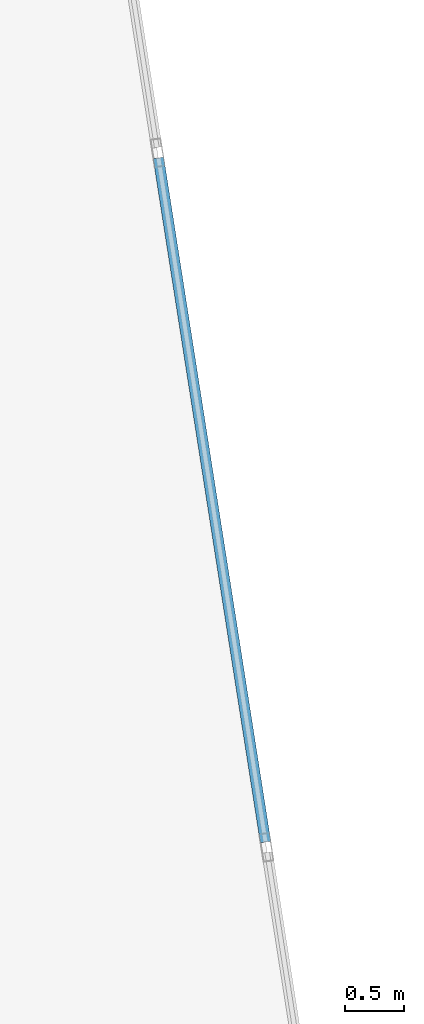
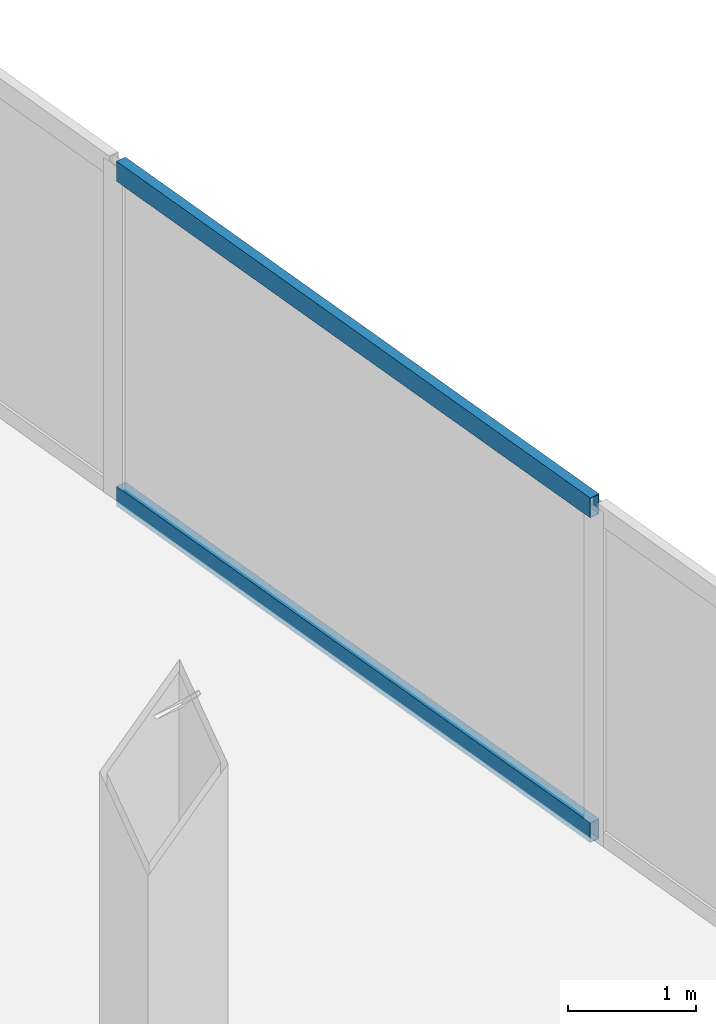
# One storey, part 8 of 17: 2 members, 1 element without a shape of its own.
"""IFC4 building model written with IfcOpenShell, lengths in metres."""

from ifc_helpers import new_model, si_unit, direction, frame, origin, origin_2d, place, context, subcontext, project, spatial, hollow_rectangle, extrude, material, material_profile, profile_set, type_object, element, aggregate, save


model = new_model("IFC4")

# Units and contexts
model_context = context("Model", 3, precision=1e-05, world=origin(), true_north=direction((0.0, 1.0)))
body_context = subcontext(model_context, "Body", "Model", "MODEL_VIEW")
ifc_project = project(units=[si_unit("LENGTHUNIT", "METRE"), si_unit("AREAUNIT", "SQUARE_METRE"), si_unit("VOLUMEUNIT", "CUBIC_METRE"), si_unit("PLANEANGLEUNIT", "RADIAN"), si_unit("MASSUNIT", "GRAM", prefix="KILO")], contexts=[model_context])

# Site, building, storey
site_placement = place(None, origin())
site = spatial("IfcSite", under=ifc_project, at=site_placement, CompositionType="ELEMENT")
building_placement = place(site_placement, origin())
building = spatial("IfcBuilding", under=site, at=building_placement, Name="Haldenkirk Collegiate Tower", CompositionType="ELEMENT")
storey_placement = place(building_placement, frame((0.0, 0.0, 371.39990234375)))
storey = spatial("IfcBuildingStorey", under=building, at=storey_placement, Name="L94", CompositionType="ELEMENT", Elevation=371.39990234375)

# Curtain wall, members
ifc_material = material(Name="Anodised architectural bronze aluminium", Category="aluminium")
curtain_wall_type = type_object("IfcCurtainWallType", Name="CW-SYS6-CROWN", PredefinedType="USERDEFINED", material=ifc_material)
curtain_wall_placement = place(storey_placement, origin())
curtain_wall = element("IfcCurtainWall", 1, at=curtain_wall_placement, inside=storey, type_object=curtain_wall_type, Name="L94 Closed crown ring ceramic-fritted bronze screen curtain wall", ObjectType="UNITISED CURTAIN WALL", PredefinedType="USERDEFINED")
ifc_material_profile = material_profile(ifc_material, hollow_rectangle(XDim=0.090087890625, YDim=0.18994140625, WallThickness=0.0048828125, at=origin_2d()), Name="CW-TRN-06")
ifc_profile_set = profile_set([ifc_material_profile], Name="Anodised architectural bronze aluminium")
member_type = type_object("IfcMemberType", Name="CW-TRN-06", PredefinedType="USERDEFINED", material=ifc_profile_set)
member_1_placement = place(storey_placement, frame((56.028564453125, 35.130126953125, 0.045166015625), z_axis=(0.154710174658, -0.987959898912, 0.0), x_axis=(0.987959898912, 0.154710174658, 0.0)))
member_1 = element("IfcMember", 2, at=member_1_placement, type_object=member_type, Name="CW-06 transom 3.1", ObjectType="TRANSOM", PredefinedType="USERDEFINED", context=body_context, shape_type="SweptSolid", body=[
    extrude(hollow_rectangle(XDim=0.090087890625, YDim=0.18994140625, WallThickness=0.0048828125, at=origin_2d()), origin(), (0.0, 0.0, 1.0), 5.876708984375),
])
member_2_placement = place(storey_placement, frame((56.028564453125, 35.130126953125, 3.135009765625), z_axis=(0.154710174658, -0.987959898912, 0.0), x_axis=(0.987959898912, 0.154710174658, 0.0)))
member_2 = element("IfcMember", 3, at=member_2_placement, type_object=member_type, Name="CW-06 transom 3.2", ObjectType="TRANSOM", PredefinedType="USERDEFINED", context=body_context, shape_type="SweptSolid", body=[
    extrude(hollow_rectangle(XDim=0.090087890625, YDim=0.18994140625, WallThickness=0.0048828125, at=origin_2d()), origin(), (0.0, 0.0, 1.0), 5.876708984375),
])
aggregate(curtain_wall, [member_1, member_2])

save(model, "model.ifc")
